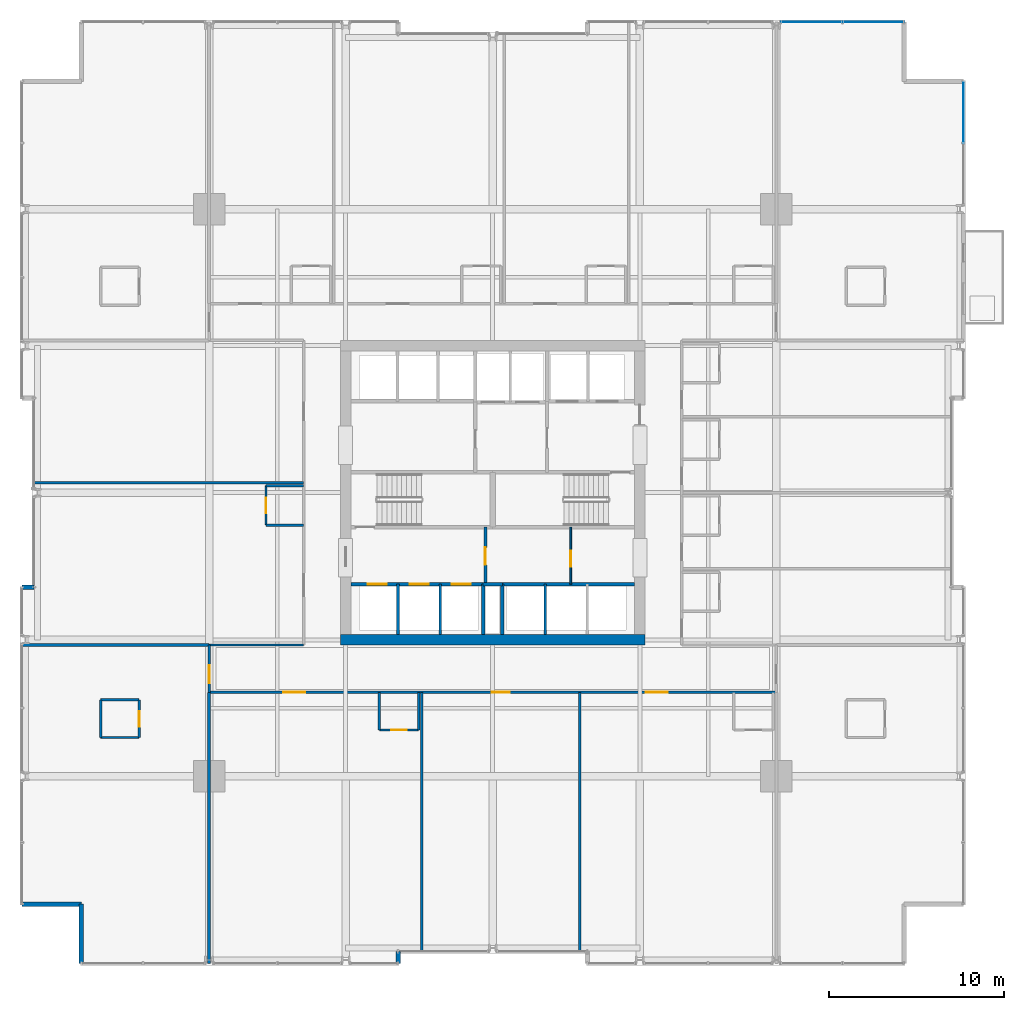
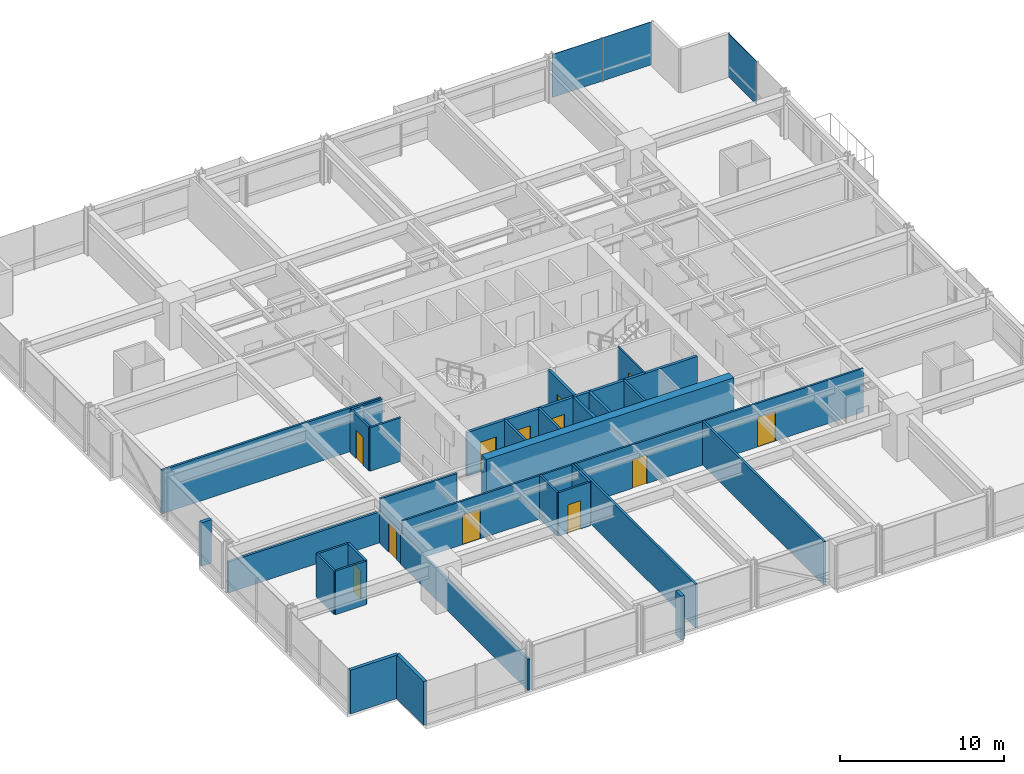
# One storey, part 30 of 37: 33 walls, 12 doors, 3 plates, 12 openings, 2 elements without a shape of their own.
"""IFC4 building model written with IfcOpenShell, lengths in metres."""

from ifc_helpers import new_model, si_unit, direction, frame, frame_2d, origin, origin_2d, place, context, subcontext, project, spatial, rectangle, extrude, material, layer, layer_set, type_object, element, fill, aggregate, save


model = new_model("IFC4")

# Units and contexts
model_context = context("Model", 3, precision=1e-05, world=origin(), true_north=direction((0.0, 1.0)))
body_context = subcontext(model_context, "Body", "Model", "MODEL_VIEW")
ifc_project = project(units=[si_unit("LENGTHUNIT", "METRE"), si_unit("AREAUNIT", "SQUARE_METRE"), si_unit("VOLUMEUNIT", "CUBIC_METRE"), si_unit("PLANEANGLEUNIT", "RADIAN"), si_unit("MASSUNIT", "GRAM", prefix="KILO")], contexts=[model_context])

# Site, building, storey
site_placement = place(None, origin())
site = spatial("IfcSite", under=ifc_project, at=site_placement, CompositionType="ELEMENT")
building_placement = place(site_placement, origin())
building = spatial("IfcBuilding", under=site, at=building_placement, Name="Drelvath Grand Hotel", CompositionType="ELEMENT")
storey_placement = place(building_placement, frame((0.0, 0.0, 43.699951171875)))
storey = spatial("IfcBuildingStorey", under=building, at=storey_placement, Name="L09", CompositionType="ELEMENT", Elevation=43.699951171875)

# Curtain wall, plate
ifc_material_1 = material(Name="Warm Bronze Anodised Aluminium Frame", Category="aluminium")
ifc_layer_1 = layer(ifc_material_1, 0.199951171875)
ifc_layer_set_1 = layer_set([ifc_layer_1], Name="Warm Bronze Anodised Aluminium Frame")
curtain_wall_type = type_object("IfcCurtainWallType", Name="Stick Curtain Wall CW-02 Warm Bronze Low-Rise", PredefinedType="NOTDEFINED", material=ifc_layer_set_1)
curtain_wall_1_placement = place(storey_placement, origin())
curtain_wall_1 = element("IfcCurtainWall", 1, at=curtain_wall_1_placement, inside=storey, type_object=curtain_wall_type, Name="L09 CW-02 Curtain Wall CW02-L09-EN3", PredefinedType="NOTDEFINED")
ifc_material_2 = material(Name="Low-E Triple Silver Vision Glass Bronze Tint", Category="glass")
ifc_layer_2 = layer(ifc_material_2, 0.035888671875)
ifc_layer_set_2 = layer_set([ifc_layer_2], Name="Low-E Triple Silver Vision Glass Bronze Tint")
plate_type = type_object("IfcPlateType", Name="Curtain Wall Vision Panel CW-02 36mm", PredefinedType="CURTAIN_PANEL", material=ifc_layer_set_2)
plate_1_placement = place(storey_placement, frame((26.8798828125, 48.735107421875, 0.02001953125), z_axis=(0.0, 0.0, 1.0), x_axis=(0.0, -1.0, 0.0)))
plate_1 = element("IfcPlate", 2, at=plate_1_placement, type_object=plate_type, Name="CW02-L09-EN3 Glazed Panel 1", PredefinedType="CURTAIN_PANEL", context=body_context, shape_type="SweptSolid", body=[
    extrude(rectangle(XDim=3.489501953125, YDim=0.035888671875, at=origin_2d()), origin(), (0.0, 0.0, 1.0), 3.199951171875),
])
aggregate(curtain_wall_1, [plate_1])

# Curtain wall, plates
curtain_wall_2_placement = place(storey_placement, origin())
curtain_wall_2 = element("IfcCurtainWall", 3, at=curtain_wall_2_placement, inside=storey, type_object=curtain_wall_type, Name="L09 CW-02 Curtain Wall CW02-L09-NE3", PredefinedType="NOTDEFINED")
plate_2_placement = place(storey_placement, frame((18.205810546875, 53.8798828125, 0.02001953125), z_axis=(0.0, 0.0, 1.0), x_axis=(1.0, 0.0, 0.0)))
plate_2 = element("IfcPlate", 4, at=plate_2_placement, type_object=plate_type, Name="CW02-L09-NE3 Glazed Panel 1", PredefinedType="CURTAIN_PANEL", context=body_context, shape_type="SweptSolid", body=[
    extrude(rectangle(XDim=3.489501953125, YDim=0.035888671875, at=origin_2d()), origin(), (0.0, 0.0, 1.0), 3.199951171875),
])
plate_3_placement = place(storey_placement, frame((21.735107421875, 53.8798828125, 0.02001953125), z_axis=(0.0, 0.0, 1.0), x_axis=(1.0, 0.0, 0.0)))
plate_3 = element("IfcPlate", 5, at=plate_3_placement, type_object=plate_type, Name="CW02-L09-NE3 Glazed Panel 2", PredefinedType="CURTAIN_PANEL", context=body_context, shape_type="SweptSolid", body=[
    extrude(rectangle(XDim=3.489501953125, YDim=0.035888671875, at=origin_2d()), origin(), (0.0, 0.0, 1.0), 3.199951171875),
])
aggregate(curtain_wall_2, [plate_2, plate_3])

# Wall, opening, door
ifc_material_3 = material(Name="Gypsum Partition Board")
ifc_layer_3 = layer(ifc_material_3, 0.10009765625)
ifc_layer_set_3 = layer_set([ifc_layer_3], Name="Gypsum Partition Board")
wall_type_1 = type_object("IfcWallType", Name="Core Closet Partition 100", PredefinedType="PARTITIONING", material=ifc_layer_set_3)
wall_1_placement = place(storey_placement, frame((4.4599609375, 21.780029296875, 0.0), z_axis=(0.0, 0.0, 1.0), x_axis=(0.0, 1.0, 0.0)))
wall_1 = element("IfcWall", 6, at=wall_1_placement, inside=storey, type_object=wall_type_1, Name="L09 Housekeeping Split Wall", PredefinedType="PARTITIONING", context=body_context, shape_type="SweptSolid", body=[
    extrude(rectangle(XDim=3.260009765625, YDim=0.10009765625, at=frame_2d((1.6298828125, 0.0))), origin(), (0.0, 0.0, 1.0), 3.239990234375),
])
opening_1_placement = place(wall_1_placement, frame((1.0, 0.0, 0.0)))
opening_1 = element("IfcOpeningElement", 7, at=opening_1_placement, cuts=wall_1, Name="Opening D-T1G2-015", PredefinedType="OPENING", context=body_context, shape_type="SweptSolid", body=[
    extrude(rectangle(XDim=0.919921875, YDim=2.10009765625, at=frame_2d((0.4599609375, 1.050048828125))), frame((0.0, 0.06005859375, 0.0), z_axis=(0.0, -1.0, 0.0), x_axis=(1.0, 0.0, 0.0)), (0.0, 0.0, 1.0), 0.1201171875),
])
ifc_material_4 = material(Name="Painted Steel S275", Category="steel")
door_type_1 = type_object("IfcDoorType", Name="Staff Utility Door 920x2100", OperationType="NOTDEFINED", PredefinedType="DOOR", material=ifc_material_4)
door_1_placement = place(opening_1_placement, origin())
door_1 = element("IfcDoor", 8, at=door_1_placement, inside=storey, type_object=door_type_1, Name="L09 Core Store Door", OperationType="SINGLE_SWING_RIGHT", OverallHeight=2.10009765625, OverallWidth=0.919921875, PredefinedType="DOOR", context=body_context, shape_type="SweptSolid", body=[
    extrude(rectangle(XDim=0.919921875, YDim=2.10009765625, at=frame_2d((0.4599609375, 1.050048828125))), frame((0.0, 0.02490234375, 0.0), z_axis=(0.0, -1.0, 0.0), x_axis=(1.0, 0.0, 0.0)), (0.0, 0.0, 1.0), 0.050048828125),
])
fill(opening_1, door_1)

# Wall, openings, doors
ifc_material_5 = material(Name="Concrete C40/50", Category="concrete")
ifc_layer_4 = layer(ifc_material_5, 0.199951171875)
ifc_layer_set_4 = layer_set([ifc_layer_4], Name="Concrete C40/50")
wall_type_2 = type_object("IfcWallType", Name="Core Hoistway Fire Wall 200", PredefinedType="SOLIDWALL", material=ifc_layer_set_4)
wall_2_placement = place(storey_placement, frame((-0.550048828125, 21.780029296875, 0.0), z_axis=(0.0, 0.0, 1.0), x_axis=(-1.0, 0.0, 0.0)))
wall_2 = element("IfcWall", 9, at=wall_2_placement, inside=storey, type_object=wall_type_2, Name="L09 Bank 1 Hoistway Wall", PredefinedType="SOLIDWALL", context=body_context, shape_type="SweptSolid", body=[
    extrude(rectangle(XDim=7.550048828125, YDim=0.199951171875, at=frame_2d((3.77490234375, 0.0))), origin(), (0.0, 0.0, 1.0), 3.239990234375),
])
opening_2_placement = place(wall_2_placement, frame((5.5, 0.0, 0.0)))
opening_2 = element("IfcOpeningElement", 10, at=opening_2_placement, cuts=wall_2, Name="Opening LD-PE-1", PredefinedType="OPENING", context=body_context, shape_type="SweptSolid", body=[
    extrude(rectangle(XDim=1.10009765625, YDim=2.199951171875, at=frame_2d((0.550048828125, 1.10009765625))), frame((0.0, 0.10986328125, 0.0), z_axis=(0.0, -1.0, 0.0), x_axis=(1.0, 0.0, 0.0)), (0.0, 0.0, 1.0), 0.219970703125),
])
opening_3_placement = place(wall_2_placement, frame((3.10009765625, 0.0, 0.0)))
opening_3 = element("IfcOpeningElement", 11, at=opening_3_placement, cuts=wall_2, Name="Opening LD-PE-2", PredefinedType="OPENING", context=body_context, shape_type="SweptSolid", body=[
    extrude(rectangle(XDim=1.10009765625, YDim=2.199951171875, at=frame_2d((0.550048828125, 1.10009765625))), frame((0.0, 0.10986328125, 0.0), z_axis=(0.0, -1.0, 0.0), x_axis=(1.0, 0.0, 0.0)), (0.0, 0.0, 1.0), 0.219970703125),
])
opening_4_placement = place(wall_2_placement, frame((0.699951171875, 0.0, 0.0)))
opening_4 = element("IfcOpeningElement", 12, at=opening_4_placement, cuts=wall_2, Name="Opening LD-PE-3", PredefinedType="OPENING", context=body_context, shape_type="SweptSolid", body=[
    extrude(rectangle(XDim=1.10009765625, YDim=2.199951171875, at=frame_2d((0.550048828125, 1.10009765625))), frame((0.0, 0.10986328125, 0.0), z_axis=(0.0, -1.0, 0.0), x_axis=(1.0, 0.0, 0.0)), (0.0, 0.0, 1.0), 0.219970703125),
])
ifc_material_6 = material(Name="Stainless Steel S355", Category="steel")
door_type_2 = type_object("IfcDoorType", Name="Passenger Lift Sliding Landing Door 1100x2200", OperationType="NOTDEFINED", PredefinedType="DOOR", material=ifc_material_6)
door_2_placement = place(opening_2_placement, origin())
door_2 = element("IfcDoor", 13, at=door_2_placement, inside=storey, type_object=door_type_2, Name="L09 Lift PE-1 Landing Door", OperationType="SLIDING_TO_LEFT", OverallHeight=2.199951171875, OverallWidth=1.10009765625, PredefinedType="DOOR", context=body_context, shape_type="SweptSolid", body=[
    extrude(rectangle(XDim=1.10009765625, YDim=2.199951171875, at=frame_2d((0.550048828125, 1.10009765625))), frame((0.0, 0.02490234375, 0.0), z_axis=(0.0, -1.0, 0.0), x_axis=(1.0, 0.0, 0.0)), (0.0, 0.0, 1.0), 0.050048828125),
])
fill(opening_2, door_2)
door_3_placement = place(opening_3_placement, origin())
door_3 = element("IfcDoor", 14, at=door_3_placement, inside=storey, type_object=door_type_2, Name="L09 Lift PE-2 Landing Door", OperationType="SLIDING_TO_LEFT", OverallHeight=2.199951171875, OverallWidth=1.10009765625, PredefinedType="DOOR", context=body_context, shape_type="SweptSolid", body=[
    extrude(rectangle(XDim=1.10009765625, YDim=2.199951171875, at=frame_2d((0.550048828125, 1.10009765625))), frame((0.0, 0.02490234375, 0.0), z_axis=(0.0, -1.0, 0.0), x_axis=(1.0, 0.0, 0.0)), (0.0, 0.0, 1.0), 0.050048828125),
])
fill(opening_3, door_3)
door_4_placement = place(opening_4_placement, origin())
door_4 = element("IfcDoor", 15, at=door_4_placement, inside=storey, type_object=door_type_2, Name="L09 Lift PE-3 Landing Door", OperationType="SLIDING_TO_LEFT", OverallHeight=2.199951171875, OverallWidth=1.10009765625, PredefinedType="DOOR", context=body_context, shape_type="SweptSolid", body=[
    extrude(rectangle(XDim=1.10009765625, YDim=2.199951171875, at=frame_2d((0.550048828125, 1.10009765625))), frame((0.0, 0.02490234375, 0.0), z_axis=(0.0, -1.0, 0.0), x_axis=(1.0, 0.0, 0.0)), (0.0, 0.0, 1.0), 0.050048828125),
])
fill(opening_4, door_4)

# Walls
wall_3_placement = place(storey_placement, frame((-0.550048828125, 18.89990234375, 0.0), z_axis=(0.0, 0.0, 1.0), x_axis=(0.0, 1.0, 0.0)))
element("IfcWall", 16, at=wall_3_placement, inside=storey, type_object=wall_type_2, Name="L09 Bank 1 East Wall", PredefinedType="SOLIDWALL", context=body_context, shape_type="SweptSolid", body=[
    extrude(rectangle(XDim=2.880126953125, YDim=0.199951171875, at=frame_2d((1.43994140625, 0.0))), origin(), (0.0, 0.0, 1.0), 3.239990234375),
])
wall_4_placement = place(storey_placement, frame((8.10009765625, 21.780029296875, 0.0), z_axis=(0.0, 0.0, 1.0), x_axis=(-1.0, 0.0, 0.0)))
element("IfcWall", 17, at=wall_4_placement, inside=storey, type_object=wall_type_2, Name="L09 Bank 2 Hoistway Wall", PredefinedType="SOLIDWALL", context=body_context, shape_type="SweptSolid", body=[
    extrude(rectangle(XDim=7.550048828125, YDim=0.199951171875, at=frame_2d((3.77490234375, 0.0))), origin(), (0.0, 0.0, 1.0), 3.239990234375),
])
wall_5_placement = place(storey_placement, frame((0.550048828125, 18.89990234375, 0.0), z_axis=(0.0, 0.0, 1.0), x_axis=(0.0, 1.0, 0.0)))
element("IfcWall", 18, at=wall_5_placement, inside=storey, type_object=wall_type_2, Name="L09 Bank 2 West Wall", PredefinedType="SOLIDWALL", context=body_context, shape_type="SweptSolid", body=[
    extrude(rectangle(XDim=2.880126953125, YDim=0.199951171875, at=frame_2d((1.43994140625, 0.0))), origin(), (0.0, 0.0, 1.0), 3.239990234375),
])
wall_6_placement = place(storey_placement, frame((-0.550048828125, 21.780029296875, 0.0), z_axis=(0.0, 0.0, 1.0), x_axis=(1.0, 0.0, 0.0)))
element("IfcWall", 19, at=wall_6_placement, inside=storey, type_object=wall_type_2, Name="L09 Core Riser Wall", PredefinedType="SOLIDWALL", context=body_context, shape_type="SweptSolid", body=[
    extrude(rectangle(XDim=1.10009765625, YDim=0.199951171875, at=frame_2d((0.550048828125, 0.0))), origin(), (0.0, 0.0, 1.0), 3.239990234375),
])
ifc_material_7 = material(Name="Gypsum Fireboard Partition")
ifc_layer_5 = layer(ifc_material_7, 0.1650390625)
ifc_layer_set_5 = layer_set([ifc_layer_5], Name="Gypsum Fireboard Partition")
wall_type_3 = type_object("IfcWallType", Name="Core Shaft Partition 165", PredefinedType="PARTITIONING", material=ifc_layer_set_5)
for number, where, z_axis, x_axis, name in (
    (20, (-5.39990234375, 18.89990234375, 0.0), (0.0, 0.0, 1.0), (0.0, 1.0, 0.0), "L09 Lift PE-1/2 Divider"),
    (21, (-3.0, 18.89990234375, 0.0), (0.0, 0.0, 1.0), (0.0, 1.0, 0.0), "L09 Lift PE-2/3 Divider"),
    (22, (3.0, 18.89990234375, 0.0), (0.0, 0.0, 1.0), (0.0, 1.0, 0.0), "L09 Lift PE-4/5 Divider"),
):
    element("IfcWall", number, at=place(storey_placement, frame(where, z_axis=z_axis, x_axis=x_axis)), inside=storey, type_object=wall_type_3, Name=name, PredefinedType="PARTITIONING", context=body_context, shape_type="SweptSolid", body=[
        extrude(rectangle(XDim=2.880126953125, YDim=0.1650390625, at=frame_2d((1.43994140625, 0.0))), origin(), (0.0, 0.0, 1.0), 3.239990234375),
    ])

# Wall, openings, doors
ifc_layer_6 = layer(ifc_material_7, 0.135009765625)
ifc_layer_set_6 = layer_set([ifc_layer_6], Name="Gypsum Fireboard Partition")
wall_type_4 = type_object("IfcWallType", Name="Corridor Fire Barrier Wall 135", PredefinedType="PARTITIONING", material=ifc_layer_set_6)
wall_7_placement = place(storey_placement, frame((-16.199951171875, 15.60009765625, 0.0), z_axis=(0.0, 0.0, 1.0), x_axis=(1.0, 0.0, 0.0)))
wall_7 = element("IfcWall", 23, at=wall_7_placement, inside=storey, type_object=wall_type_4, Name="L09 South Corridor Wall", PredefinedType="PARTITIONING", context=body_context, shape_type="SweptSolid", body=[
    extrude(rectangle(XDim=32.39990234375, YDim=0.135009765625, at=frame_2d((16.199951171875, 0.0))), origin(), (0.0, 0.0, 1.0), 3.239990234375),
])
opening_5_placement = place(wall_7_placement, frame((4.22998046875, 0.0, 0.0)))
opening_5 = element("IfcOpeningElement", 24, at=opening_5_placement, cuts=wall_7, Name="Opening D-T1G2-025", PredefinedType="OPENING", context=body_context, shape_type="SweptSolid", body=[
    extrude(rectangle(XDim=1.260009765625, YDim=2.199951171875, at=frame_2d((0.6298828125, 1.10009765625))), frame((0.0, 0.077392578125, 0.0), z_axis=(0.0, -1.0, 0.0), x_axis=(1.0, 0.0, 0.0)), (0.0, 0.0, 1.0), 0.155029296875),
])
opening_6_placement = place(wall_7_placement, frame((16.155029296875, 0.0, 0.0)))
opening_6 = element("IfcOpeningElement", 25, at=opening_6_placement, cuts=wall_7, Name="Opening D-T1G2-026", PredefinedType="OPENING", context=body_context, shape_type="SweptSolid", body=[
    extrude(rectangle(XDim=1.02001953125, YDim=2.14990234375, at=frame_2d((0.510009765625, 1.074951171875))), frame((0.0, 0.077392578125, 0.0), z_axis=(0.0, -1.0, 0.0), x_axis=(1.0, 0.0, 0.0)), (0.0, 0.0, 1.0), 0.155029296875),
])
opening_7_placement = place(wall_7_placement, frame((24.945068359375, 0.0, 0.0)))
opening_7 = element("IfcOpeningElement", 26, at=opening_7_placement, cuts=wall_7, Name="Opening D-T1G2-028", PredefinedType="OPENING", context=body_context, shape_type="SweptSolid", body=[
    extrude(rectangle(XDim=1.260009765625, YDim=2.199951171875, at=frame_2d((0.6298828125, 1.10009765625))), frame((0.0, 0.077392578125, 0.0), z_axis=(0.0, -1.0, 0.0), x_axis=(1.0, 0.0, 0.0)), (0.0, 0.0, 1.0), 0.155029296875),
])
ifc_material_8 = material(Name="Hardwood Walnut Timber", Category="wood")
door_type_3 = type_object("IfcDoorType", Name="Amenity Meeting Fire Door 1020x2150", OperationType="NOTDEFINED", PredefinedType="DOOR", material=ifc_material_8)
door_5_placement = place(opening_6_placement, origin())
door_5 = element("IfcDoor", 27, at=door_5_placement, inside=storey, type_object=door_type_3, Name="L09 Executive Club Lounge Entry Door", OperationType="SINGLE_SWING_LEFT", OverallHeight=2.14990234375, OverallWidth=1.02001953125, PredefinedType="DOOR", context=body_context, shape_type="SweptSolid", body=[
    extrude(rectangle(XDim=1.02001953125, YDim=2.14990234375, at=frame_2d((0.510009765625, 1.074951171875))), frame((0.0, 0.02490234375, 0.0), z_axis=(0.0, -1.0, 0.0), x_axis=(1.0, 0.0, 0.0)), (0.0, 0.0, 1.0), 0.050048828125),
])
fill(opening_6, door_5)
door_type_4 = type_object("IfcDoorType", Name="Suite Entrance Fire Door 1260x2200", OperationType="NOTDEFINED", PredefinedType="DOOR", material=ifc_material_8)
door_6_placement = place(opening_5_placement, origin())
door_6 = element("IfcDoor", 28, at=door_6_placement, inside=storey, type_object=door_type_4, Name="L09 Corner Suite Entry Door", OperationType="SINGLE_SWING_RIGHT", OverallHeight=2.199951171875, OverallWidth=1.260009765625, PredefinedType="DOOR", context=body_context, shape_type="SweptSolid", body=[
    extrude(rectangle(XDim=1.260009765625, YDim=2.199951171875, at=frame_2d((0.6298828125, 1.10009765625))), frame((0.0, 0.02490234375, 0.0), z_axis=(0.0, -1.0, 0.0), x_axis=(1.0, 0.0, 0.0)), (0.0, 0.0, 1.0), 0.050048828125),
])
fill(opening_5, door_6)
door_7_placement = place(opening_7_placement, origin())
door_7 = element("IfcDoor", 29, at=door_7_placement, inside=storey, type_object=door_type_4, Name="L09 Corner Suite Entry Door", OperationType="SINGLE_SWING_LEFT", OverallHeight=2.199951171875, OverallWidth=1.260009765625, PredefinedType="DOOR", context=body_context, shape_type="SweptSolid", body=[
    extrude(rectangle(XDim=1.260009765625, YDim=2.199951171875, at=frame_2d((0.6298828125, 1.10009765625))), frame((0.0, 0.02490234375, 0.0), z_axis=(0.0, -1.0, 0.0), x_axis=(1.0, 0.0, 0.0)), (0.0, 0.0, 1.0), 0.050048828125),
])
fill(opening_7, door_7)

# Wall
wall_8_placement = place(storey_placement, frame((-16.199951171875, 18.300048828125, 0.0), z_axis=(0.0, 0.0, 1.0), x_axis=(1.0, 0.0, 0.0)))
element("IfcWall", 30, at=wall_8_placement, inside=storey, type_object=wall_type_4, Name="L09 SW Spur Inner Wall", PredefinedType="PARTITIONING", context=body_context, shape_type="SweptSolid", body=[
    extrude(rectangle(XDim=5.39990234375, YDim=0.135009765625, at=frame_2d((2.699951171875, 0.0))), origin(), (0.0, 0.0, 1.0), 3.239990234375),
])

# Wall, opening, door
wall_9_placement = place(storey_placement, frame((-16.199951171875, 15.60009765625, 0.0), z_axis=(0.0, 0.0, 1.0), x_axis=(0.0, 1.0, 0.0)))
wall_9 = element("IfcWall", 31, at=wall_9_placement, inside=storey, type_object=wall_type_4, Name="L09 South Corridor West End", PredefinedType="PARTITIONING", context=body_context, shape_type="SweptSolid", body=[
    extrude(rectangle(XDim=2.699951171875, YDim=0.135009765625, at=frame_2d((1.35009765625, 0.0))), origin(), (0.0, 0.0, 1.0), 2.29833984375),
])
opening_8_placement = place(wall_9_placement, frame((0.52001953125, 0.0, 0.0)))
opening_8 = element("IfcOpeningElement", 32, at=opening_8_placement, cuts=wall_9, Name="Opening D-T1G2-017", PredefinedType="OPENING", context=body_context, shape_type="SweptSolid", body=[
    extrude(rectangle(XDim=1.02001953125, YDim=2.14990234375, at=frame_2d((0.510009765625, 1.074951171875))), frame((0.0, 0.077392578125, 0.0), z_axis=(0.0, -1.0, 0.0), x_axis=(1.0, 0.0, 0.0)), (0.0, 0.0, 1.0), 0.155029296875),
])
door_8_placement = place(opening_8_placement, origin())
door_8 = element("IfcDoor", 33, at=door_8_placement, inside=storey, type_object=door_type_3, Name="L09 Corner Suite Entry Door", OperationType="SINGLE_SWING_RIGHT", OverallHeight=2.14990234375, OverallWidth=1.02001953125, PredefinedType="DOOR", context=body_context, shape_type="SweptSolid", body=[
    extrude(rectangle(XDim=1.02001953125, YDim=2.14990234375, at=frame_2d((0.510009765625, 1.074951171875))), frame((0.0, 0.02490234375, 0.0), z_axis=(0.0, -1.0, 0.0), x_axis=(1.0, 0.0, 0.0)), (0.0, 0.0, 1.0), 0.050048828125),
])
fill(opening_8, door_8)

# Walls
ifc_material_9 = material(Name="Moisture-Resistant Gypsum Board")
ifc_layer_7 = layer(ifc_material_9, 0.139892578125)
ifc_layer_set_7 = layer_set([ifc_layer_7], Name="Moisture-Resistant Gypsum Board")
wall_type_5 = type_object("IfcWallType", Name="En-Suite Plumbing Wall 140", PredefinedType="PLUMBINGWALL", material=ifc_layer_set_7)
for number, where, z_axis, x_axis, name in (
    (34, (-22.39990234375, 13.02001953125, 0.0), (0.0, 0.0, 1.0), (1.0, 0.0, 0.0), "L09 Corner En-Suite South"),
    (35, (-22.39990234375, 15.169921875, 0.0), (0.0, 0.0, 1.0), (1.0, 0.0, 0.0), "L09 Corner En-Suite North"),
):
    element("IfcWall", number, at=place(storey_placement, frame(where, z_axis=z_axis, x_axis=x_axis)), inside=storey, type_object=wall_type_5, Name=name, PredefinedType="PLUMBINGWALL", context=body_context, shape_type="SweptSolid", body=[
        extrude(rectangle(XDim=2.199951171875, YDim=0.139892578125, at=frame_2d((1.10009765625, 0.0))), origin(), (0.0, 0.0, 1.0), 3.239990234375),
    ])
wall_10_placement = place(storey_placement, frame((-22.39990234375, 13.02001953125, 0.0), z_axis=(0.0, 0.0, 1.0), x_axis=(0.0, 1.0, 0.0)))
element("IfcWall", 36, at=wall_10_placement, inside=storey, type_object=wall_type_5, Name="L09 Corner En-Suite West", PredefinedType="PLUMBINGWALL", context=body_context, shape_type="SweptSolid", body=[
    extrude(rectangle(XDim=2.14990234375, YDim=0.139892578125, at=frame_2d((1.074951171875, 0.0))), origin(), (0.0, 0.0, 1.0), 3.239990234375),
])

# Wall, opening, door
wall_11_placement = place(storey_placement, frame((-20.199951171875, 13.02001953125, 0.0), z_axis=(0.0, 0.0, 1.0), x_axis=(0.0, 1.0, 0.0)))
wall_11 = element("IfcWall", 37, at=wall_11_placement, inside=storey, type_object=wall_type_5, Name="L09 Corner En-Suite East", PredefinedType="PLUMBINGWALL", context=body_context, shape_type="SweptSolid", body=[
    extrude(rectangle(XDim=2.14990234375, YDim=0.139892578125, at=frame_2d((1.074951171875, 0.0))), origin(), (0.0, 0.0, 1.0), 3.239990234375),
])
opening_9_placement = place(wall_11_placement, frame((0.6201171875, 0.0, 0.0)))
opening_9 = element("IfcOpeningElement", 38, at=opening_9_placement, cuts=wall_11, Name="Opening D-T1G2-016", PredefinedType="OPENING", context=body_context, shape_type="SweptSolid", body=[
    extrude(rectangle(XDim=0.8798828125, YDim=2.10009765625, at=frame_2d((0.43994140625, 1.050048828125))), frame((0.0, 0.079833984375, 0.0), z_axis=(0.0, -1.0, 0.0), x_axis=(1.0, 0.0, 0.0)), (0.0, 0.0, 1.0), 0.159912109375),
])
door_type_5 = type_object("IfcDoorType", Name="En-Suite Bathroom Door 880x2100", OperationType="NOTDEFINED", PredefinedType="DOOR", material=ifc_material_8)
door_9_placement = place(opening_9_placement, origin())
door_9 = element("IfcDoor", 39, at=door_9_placement, inside=storey, type_object=door_type_5, Name="L09 Corner En-Suite Door", OperationType="SINGLE_SWING_LEFT", OverallHeight=2.10009765625, OverallWidth=0.8798828125, PredefinedType="DOOR", context=body_context, shape_type="SweptSolid", body=[
    extrude(rectangle(XDim=0.8798828125, YDim=2.10009765625, at=frame_2d((0.43994140625, 1.050048828125))), frame((0.0, 0.02490234375, 0.0), z_axis=(0.0, -1.0, 0.0), x_axis=(1.0, 0.0, 0.0)), (0.0, 0.0, 1.0), 0.050048828125),
])
fill(opening_9, door_9)

# Walls
for number, where, z_axis, x_axis, name in (
    (40, (-6.47998046875, 15.60009765625, 0.0), (0.0, 0.0, 1.0), (0.0, -1.0, 0.0), "L09 En-Suite Left Wall"),
    (41, (-4.22998046875, 15.60009765625, 0.0), (0.0, 0.0, 1.0), (0.0, -1.0, 0.0), "L09 En-Suite Right Wall"),
):
    element("IfcWall", number, at=place(storey_placement, frame(where, z_axis=z_axis, x_axis=x_axis)), inside=storey, type_object=wall_type_5, Name=name, PredefinedType="PLUMBINGWALL", context=body_context, shape_type="SweptSolid", body=[
        extrude(rectangle(XDim=2.150146484375, YDim=0.139892578125, at=frame_2d((1.0751953125, 0.0))), origin(), (0.0, 0.0, 1.0), 3.239990234375),
    ])

# Wall, opening, door
wall_12_placement = place(storey_placement, frame((-6.47998046875, 13.449951171875, 0.0), z_axis=(0.0, 0.0, 1.0), x_axis=(1.0, 0.0, 0.0)))
wall_12 = element("IfcWall", 42, at=wall_12_placement, inside=storey, type_object=wall_type_5, Name="L09 En-Suite Front Wall", PredefinedType="PLUMBINGWALL", context=body_context, shape_type="SweptSolid", body=[
    extrude(rectangle(XDim=2.25, YDim=0.139892578125, at=frame_2d((1.125, 0.0))), origin(), (0.0, 0.0, 1.0), 3.239990234375),
])
opening_10_placement = place(wall_12_placement, frame((0.68505859375, 0.0, 0.0)))
opening_10 = element("IfcOpeningElement", 43, at=opening_10_placement, cuts=wall_12, Name="Opening D-T1G2-024", PredefinedType="OPENING", context=body_context, shape_type="SweptSolid", body=[
    extrude(rectangle(XDim=0.8798828125, YDim=2.10009765625, at=frame_2d((0.43994140625, 1.050048828125))), frame((0.0, 0.079833984375, 0.0), z_axis=(0.0, -1.0, 0.0), x_axis=(1.0, 0.0, 0.0)), (0.0, 0.0, 1.0), 0.159912109375),
])
door_10_placement = place(opening_10_placement, origin())
door_10 = element("IfcDoor", 44, at=door_10_placement, inside=storey, type_object=door_type_5, Name="L09 En-Suite Bathroom Door", OperationType="SINGLE_SWING_LEFT", OverallHeight=2.10009765625, OverallWidth=0.8798828125, PredefinedType="DOOR", context=body_context, shape_type="SweptSolid", body=[
    extrude(rectangle(XDim=0.8798828125, YDim=2.10009765625, at=frame_2d((0.43994140625, 1.050048828125))), frame((0.0, 0.02490234375, 0.0), z_axis=(0.0, -1.0, 0.0), x_axis=(1.0, 0.0, 0.0)), (0.0, 0.0, 1.0), 0.050048828125),
])
fill(opening_10, door_10)

# Walls
for number, where, z_axis, x_axis, name in (
    (45, (-10.800048828125, 25.14990234375, 0.0), (0.0, 0.0, 1.0), (-1.0, 0.0, 0.0), "L09 En-Suite Left Wall"),
    (46, (-10.800048828125, 27.39990234375, 0.0), (0.0, 0.0, 1.0), (-1.0, 0.0, 0.0), "L09 En-Suite Right Wall"),
):
    element("IfcWall", number, at=place(storey_placement, frame(where, z_axis=z_axis, x_axis=x_axis)), inside=storey, type_object=wall_type_5, Name=name, PredefinedType="PLUMBINGWALL", context=body_context, shape_type="SweptSolid", body=[
        extrude(rectangle(XDim=2.14990234375, YDim=0.139892578125, at=frame_2d((1.074951171875, 0.0))), origin(), (0.0, 0.0, 1.0), 3.239990234375),
    ])

# Wall, opening, door
wall_13_placement = place(storey_placement, frame((-12.949951171875, 25.14990234375, 0.0), z_axis=(0.0, 0.0, 1.0), x_axis=(0.0, 1.0, 0.0)))
wall_13 = element("IfcWall", 47, at=wall_13_placement, inside=storey, type_object=wall_type_5, Name="L09 En-Suite Front Wall", PredefinedType="PLUMBINGWALL", context=body_context, shape_type="SweptSolid", body=[
    extrude(rectangle(XDim=2.25, YDim=0.139892578125, at=frame_2d((1.125, 0.0))), origin(), (0.0, 0.0, 1.0), 3.239990234375),
])
opening_11_placement = place(wall_13_placement, frame((0.68505859375, 0.0, 0.0)))
opening_11 = element("IfcOpeningElement", 48, at=opening_11_placement, cuts=wall_13, Name="Opening D-T1G2-037", PredefinedType="OPENING", context=body_context, shape_type="SweptSolid", body=[
    extrude(rectangle(XDim=0.8798828125, YDim=2.10009765625, at=frame_2d((0.43994140625, 1.050048828125))), frame((0.0, 0.079833984375, 0.0), z_axis=(0.0, -1.0, 0.0), x_axis=(1.0, 0.0, 0.0)), (0.0, 0.0, 1.0), 0.159912109375),
])
door_11_placement = place(opening_11_placement, origin())
door_11 = element("IfcDoor", 49, at=door_11_placement, inside=storey, type_object=door_type_5, Name="L09 En-Suite Bathroom Door", OperationType="SINGLE_SWING_RIGHT", OverallHeight=2.10009765625, OverallWidth=0.8798828125, PredefinedType="DOOR", context=body_context, shape_type="SweptSolid", body=[
    extrude(rectangle(XDim=0.8798828125, YDim=2.10009765625, at=frame_2d((0.43994140625, 1.050048828125))), frame((0.0, 0.02490234375, 0.0), z_axis=(0.0, -1.0, 0.0), x_axis=(1.0, 0.0, 0.0)), (0.0, 0.0, 1.0), 0.050048828125),
])
fill(opening_11, door_11)

ifc_layer_8 = layer(ifc_material_7, 0.179931640625)
ifc_layer_set_8 = layer_set([ifc_layer_8], Name="Gypsum Fireboard Partition")
wall_type_6 = type_object("IfcWallType", Name="FSAE Smoke Lobby Fire Wall 180", PredefinedType="SOLIDWALL", material=ifc_layer_set_8)
wall_14_placement = place(storey_placement, frame((-0.419921875, 21.780029296875, 0.0), z_axis=(0.0, 0.0, 1.0), x_axis=(0.0, 1.0, 0.0)))
wall_14 = element("IfcWall", 50, at=wall_14_placement, inside=storey, type_object=wall_type_6, Name="L09 Low-Rise Lobby East Wall", PredefinedType="SOLIDWALL", context=body_context, shape_type="SweptSolid", body=[
    extrude(rectangle(XDim=3.260009765625, YDim=0.179931640625, at=frame_2d((1.6298828125, 0.0))), origin(), (0.0, 0.0, 1.0), 3.239990234375),
])
opening_12_placement = place(wall_14_placement, frame((1.10009765625, 0.0, 0.0)))
opening_12 = element("IfcOpeningElement", 51, at=opening_12_placement, cuts=wall_14, Name="Opening D-T1G2-013", PredefinedType="OPENING", context=body_context, shape_type="SweptSolid", body=[
    extrude(rectangle(XDim=1.0, YDim=2.10009765625, at=frame_2d((0.5, 1.050048828125))), frame((0.0, 0.099853515625, 0.0), z_axis=(0.0, -1.0, 0.0), x_axis=(1.0, 0.0, 0.0)), (0.0, 0.0, 1.0), 0.199951171875),
])
door_type_6 = type_object("IfcDoorType", Name="Core Service Fire Door 1000x2100", OperationType="NOTDEFINED", PredefinedType="DOOR", material=ifc_material_4)
door_12_placement = place(opening_12_placement, origin())
door_12 = element("IfcDoor", 52, at=door_12_placement, inside=storey, type_object=door_type_6, Name="L09 Housekeeping Entry Door", OperationType="SINGLE_SWING_RIGHT", OverallHeight=2.10009765625, OverallWidth=1.0, PredefinedType="DOOR", context=body_context, shape_type="SweptSolid", body=[
    extrude(rectangle(XDim=1.0, YDim=2.10009765625, at=frame_2d((0.5, 1.050048828125))), frame((0.0, 0.02490234375, 0.0), z_axis=(0.0, -1.0, 0.0), x_axis=(1.0, 0.0, 0.0)), (0.0, 0.0, 1.0), 0.050048828125),
])
fill(opening_12, door_12)

# Walls
ifc_material_10 = material(Name="Gypsum Acoustic Partition")
ifc_layer_9 = layer(ifc_material_10, 0.14990234375)
ifc_layer_set_9 = layer_set([ifc_layer_9], Name="Gypsum Acoustic Partition")
wall_type_7 = type_object("IfcWallType", Name="Guestroom Demising Wall 150", PredefinedType="PARTITIONING", material=ifc_layer_set_9)
for number, where, z_axis, x_axis, name in (
    (53, (-4.050048828125, 0.800048828125, 0.0), (0.0, 0.0, 1.0), (0.0, 1.0, 0.0), "L09 South Demising 1"),
    (54, (4.97998046875, 0.800048828125, 0.0), (0.0, 0.0, 1.0), (0.0, 1.0, 0.0), "L09 South Demising 2"),
):
    element("IfcWall", number, at=place(storey_placement, frame(where, z_axis=z_axis, x_axis=x_axis)), inside=storey, type_object=wall_type_7, Name=name, PredefinedType="PARTITIONING", context=body_context, shape_type="SweptSolid", body=[
        extrude(rectangle(XDim=14.800048828125, YDim=0.14990234375, at=frame_2d((7.39990234375, 0.0))), origin(), (0.0, 0.0, 1.0), 3.239990234375),
    ])
wall_15_placement = place(storey_placement, frame((-26.199951171875, 27.580078125, 0.0), z_axis=(0.0, 0.0, 1.0), x_axis=(1.0, 0.0, 0.0)))
element("IfcWall", 55, at=wall_15_placement, inside=storey, type_object=wall_type_7, Name="L09 West Demising 1", PredefinedType="PARTITIONING", context=body_context, shape_type="SweptSolid", body=[
    extrude(rectangle(XDim=15.39990234375, YDim=0.14990234375, at=frame_2d((7.699951171875, 0.0))), origin(), (0.0, 0.0, 1.0), 3.239990234375),
])
ifc_material_11 = material(Name="Concrete f'c 70 MPa", Category="concrete")
ifc_layer_10 = layer(ifc_material_11, 0.60009765625)
ifc_layer_set_10 = layer_set([ifc_layer_10], Name="Concrete f'c 70 MPa")
wall_type_8 = type_object("IfcWallType", Name="Lower Core RC Shear Wall 600", PredefinedType="SHEAR", material=ifc_layer_set_10)
wall_16_placement = place(storey_placement, frame((8.699951171875, 18.60009765625, 0.0), z_axis=(0.0, 0.0, 1.0), x_axis=(-1.0, 0.0, 0.0)))
element("IfcWall", 56, at=wall_16_placement, inside=storey, type_object=wall_type_8, Name="L09 Central Core Shear Wall S", PredefinedType="SHEAR", context=body_context, shape_type="SweptSolid", body=[
    extrude(rectangle(XDim=17.39990234375, YDim=0.60009765625, at=frame_2d((8.699951171875, 0.0))), origin(), (0.0, 0.0, 1.0), 3.5),
])
ifc_layer_11 = layer(ifc_material_10, 0.1650390625)
ifc_layer_set_11 = layer_set([ifc_layer_11], Name="Gypsum Acoustic Partition")
wall_type_9 = type_object("IfcWallType", Name="Suite Demising Wall 165", PredefinedType="PARTITIONING", material=ifc_layer_set_11)
wall_17_placement = place(storey_placement, frame((-16.199951171875, 0.1201171875, 0.0), z_axis=(0.0, 0.0, 1.0), x_axis=(0.0, 1.0, 0.0)))
element("IfcWall", 57, at=wall_17_placement, inside=storey, type_object=wall_type_9, Name="L09 SW Wing Boundary Wall", PredefinedType="PARTITIONING", context=body_context, shape_type="SweptSolid", body=[
    extrude(rectangle(XDim=15.47998046875, YDim=0.1650390625, at=frame_2d((7.739990234375, 0.0))), origin(), (0.0, 0.0, 1.0), 2.29833984375),
])
wall_18_placement = place(storey_placement, frame((-26.8798828125, 18.300048828125, 0.0), z_axis=(0.0, 0.0, 1.0), x_axis=(1.0, 0.0, 0.0)))
element("IfcWall", 58, at=wall_18_placement, inside=storey, type_object=wall_type_9, Name="L09 SW Corner North Wall", PredefinedType="PARTITIONING", context=body_context, shape_type="SweptSolid", body=[
    extrude(rectangle(XDim=10.679931640625, YDim=0.1650390625, at=frame_2d((5.33984375, 0.0))), origin(), (0.0, 0.0, 1.0), 2.29833984375),
])
ifc_material_12 = material(Name="Pale-Metal Insulated Aluminium Spandrel Assembly", Category="aluminium")
ifc_layer_12 = layer(ifc_material_12, 0.239990234375)
ifc_layer_set_12 = layer_set([ifc_layer_12], Name="Pale-Metal Insulated Aluminium Spandrel Assembly")
wall_type_10 = type_object("IfcWallType", Name="Tower Insulated Metal Spandrel Closure Wall 240", PredefinedType="STANDARD", material=ifc_layer_set_12)
for number, where, z_axis, x_axis, name in (
    (59, (-23.5, 0.1201171875, 0.0), (0.0, 0.0, 1.0), (0.0, 1.0, 0.0), "L09 Notched Corner Return Spandrel Wall CSW1"),
    (60, (-23.5, 3.5, 0.0), (0.0, 0.0, 1.0), (-1.0, 0.0, 0.0), "L09 Notched Corner Return Spandrel Wall CSW2"),
):
    element("IfcWall", number, at=place(storey_placement, frame(where, z_axis=z_axis, x_axis=x_axis)), inside=storey, type_object=wall_type_10, Name=name, PredefinedType="STANDARD", context=body_context, shape_type="SweptSolid", body=[
        extrude(rectangle(XDim=3.3798828125, YDim=0.239990234375, at=frame_2d((1.68994140625, 0.0))), origin(), (0.0, 0.0, 1.0), 3.239990234375),
    ])
for number, where, z_axis, x_axis, name in (
    (61, (-26.8798828125, 21.60009765625, 0.0), (0.0, 0.0, 1.0), (1.0, 0.0, 0.0), "L09 Notched Corner Return Spandrel Wall RW1"),
    (62, (-5.39990234375, 0.800048828125, 0.0), (0.0, 0.0, 1.0), (0.0, -1.0, 0.0), "L09 Notched Corner Return Spandrel Wall RS2"),
):
    element("IfcWall", number, at=place(storey_placement, frame(where, z_axis=z_axis, x_axis=x_axis)), inside=storey, type_object=wall_type_10, Name=name, PredefinedType="STANDARD", context=body_context, shape_type="SweptSolid", body=[
        extrude(rectangle(XDim=0.679931640625, YDim=0.239990234375, at=frame_2d((0.33984375, 0.0))), origin(), (0.0, 0.0, 1.0), 3.239990234375),
    ])

save(model, "model.ifc")
